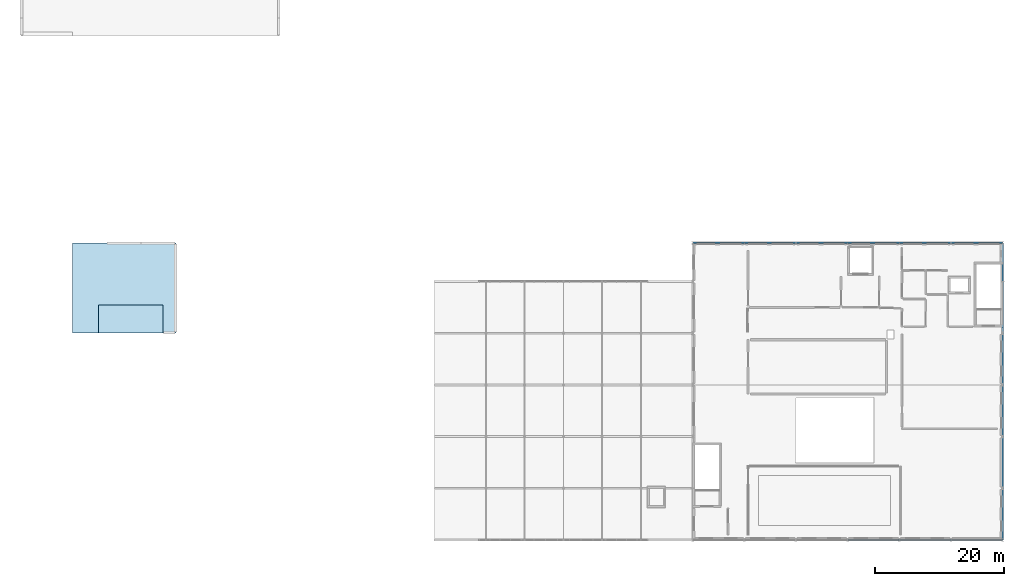
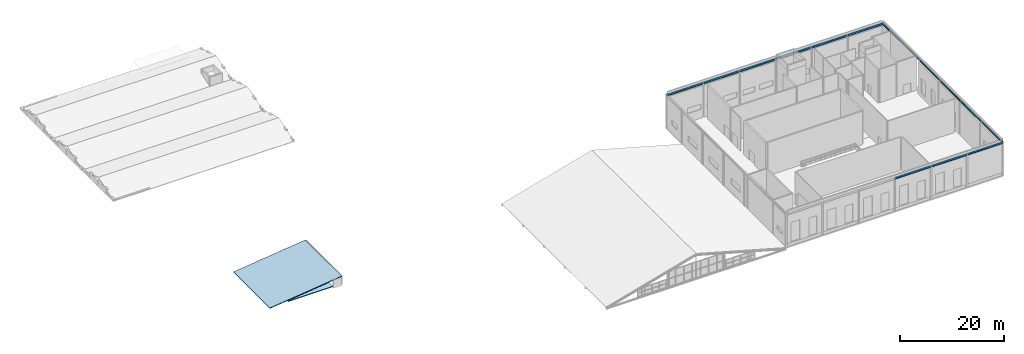
# One storey, part 36 of 49: 15 beams, 2 slabs, 1 element without a shape of its own.
"""IFC4 building model written with IfcOpenShell, lengths in metres."""

from ifc_helpers import new_model, si_unit, direction, frame, origin, origin_2d, place, context, subcontext, project, spatial, polyline, i_section, outline, extrude, material, layer, layer_set, material_profile, profile_set, type_object, element, aggregate, save


model = new_model("IFC4")

# Units and contexts
model_context = context("Model", 3, precision=1e-05, world=origin(), true_north=direction((0.0, 1.0)))
body_context = subcontext(model_context, "Body", "Model", "MODEL_VIEW")
ifc_project = project(units=[si_unit("LENGTHUNIT", "METRE"), si_unit("AREAUNIT", "SQUARE_METRE"), si_unit("VOLUMEUNIT", "CUBIC_METRE"), si_unit("PLANEANGLEUNIT", "RADIAN"), si_unit("MASSUNIT", "GRAM", prefix="KILO")], contexts=[model_context])

# Site, building, storey
site_placement = place(None, origin())
site = spatial("IfcSite", under=ifc_project, at=site_placement, CompositionType="ELEMENT")
building_placement = place(site_placement, origin())
building = spatial("IfcBuilding", under=site, at=building_placement, Name="Sundkrona Museum", CompositionType="ELEMENT")
storey_placement = place(building_placement, frame((0.0, 0.0, 26.0)))
storey = spatial("IfcBuildingStorey", under=building, at=storey_placement, Name="L05", CompositionType="ELEMENT", Elevation=26.0)

# Beams
ifc_material_1 = material(Name="Steel S355J2", Category="steel")
ifc_material_profile = material_profile(ifc_material_1, i_section(OverallWidth=0.199951171875, OverallDepth=0.5, WebThickness=0.01025390625, FlangeThickness=0.01611328125, FilletRadius=0.02099609375, at=origin_2d()), Name="IPE 500")
ifc_profile_set = profile_set([ifc_material_profile], Name="Steel S355J2")
beam_type = type_object("IfcBeamType", Name="SP-IPE500", PredefinedType="SPANDREL", material=ifc_profile_set)
for number, where, z_axis, x_axis, name in (
    (1, (144.0, 0.0, 7.75), (1.0, 0.0, 0.0), (0.0, 1.0, 0.0), "L05 Roof Ring Girder X-1777"),
    (2, (152.0, 0.0, 7.75), (1.0, 0.0, 0.0), (0.0, 1.0, 0.0), "L05 Roof Ring Girder X-1778"),
    (3, (160.0, 0.0, 7.75), (1.0, 0.0, 0.0), (0.0, 1.0, 0.0), "L05 Roof Ring Girder X-1779"),
    (4, (120.0, 46.0, 7.75), (1.0, 0.0, 0.0), (0.0, 1.0, 0.0), "L05 Roof Ring Girder X-1780"),
    (5, (128.0, 46.0, 7.75), (1.0, 0.0, 0.0), (0.0, 1.0, 0.0), "L05 Roof Ring Girder X-1781"),
    (6, (136.0, 46.0, 7.75), (1.0, 0.0, 0.0), (0.0, 1.0, 0.0), "L05 Roof Ring Girder X-1782"),
    (7, (144.0, 46.0, 7.75), (1.0, 0.0, 0.0), (0.0, 1.0, 0.0), "L05 Roof Ring Girder X-1783"),
    (8, (152.0, 46.0, 7.75), (1.0, 0.0, 0.0), (0.0, 1.0, 0.0), "L05 Roof Ring Girder X-1784"),
    (9, (160.0, 46.0, 7.75), (1.0, 0.0, 0.0), (0.0, 1.0, 0.0), "L05 Roof Ring Girder X-1785"),
    (10, (168.0, 0.0, 7.75), (0.0, 1.0, 0.0), (-1.0, 0.0, 0.0), "L05 Roof Ring Girder Y-1792"),
    (11, (168.0, 8.0, 7.75), (0.0, 1.0, 0.0), (-1.0, 0.0, 0.0), "L05 Roof Ring Girder Y-1793"),
    (12, (168.0, 16.0, 7.75), (0.0, 1.0, 0.0), (-1.0, 0.0, 0.0), "L05 Roof Ring Girder Y-1794"),
    (13, (168.0, 24.0, 7.75), (0.0, 1.0, 0.0), (-1.0, 0.0, 0.0), "L05 Roof Ring Girder Y-1795"),
    (14, (168.0, 32.0, 7.75), (0.0, 1.0, 0.0), (-1.0, 0.0, 0.0), "L05 Roof Ring Girder Y-1796"),
):
    element("IfcBeam", number, at=place(storey_placement, frame(where, z_axis=z_axis, x_axis=x_axis)), inside=storey, type_object=beam_type, Name=name, PredefinedType="SPANDREL", context=body_context, shape_type="SweptSolid", body=[
        extrude(i_section(OverallWidth=0.199951171875, OverallDepth=0.5, WebThickness=0.01025390625, FlangeThickness=0.01611328125, FilletRadius=0.02099609375, at=origin_2d()), origin(), (0.0, 0.0, 1.0), 8.0),
    ])
beam_placement = place(storey_placement, frame((168.0, 40.0, 7.75), z_axis=(0.0, 1.0, 0.0), x_axis=(-1.0, 0.0, 0.0)))
element("IfcBeam", 15, at=beam_placement, inside=storey, type_object=beam_type, Name="L05 Roof Ring Girder Y-1797", PredefinedType="SPANDREL", context=body_context, shape_type="SweptSolid", body=[
    extrude(i_section(OverallWidth=0.199951171875, OverallDepth=0.5, WebThickness=0.01025390625, FlangeThickness=0.01611328125, FilletRadius=0.02099609375, at=origin_2d()), origin(), (0.0, 0.0, 1.0), 6.0),
])

# Roof, slab
ifc_material_2 = material(Name="Patinated Copper and Composite Steel-Concrete", Category="concrete")
ifc_layer_1 = layer(ifc_material_2, 0.179931640625)
ifc_layer_set_1 = layer_set([ifc_layer_1], Name="Patinated Copper and Composite Steel-Concrete")
roof_type = type_object("IfcRoofType", Name="ROOF-PAV", PredefinedType="PAVILION_ROOF", material=ifc_layer_set_1)
roof_placement = place(storey_placement, origin())
roof = element("IfcRoof", 16, at=roof_placement, inside=storey, type_object=roof_type, Name="Volume 3 Finned Wing Standing-Seam Copper Roof", PredefinedType="PAVILION_ROOF")
ifc_material_3 = material(Name="Concrete C35/45", Category="concrete")
ifc_layer_2 = layer(ifc_material_3, 0.139892578125)
ifc_layer_set_2 = layer_set([ifc_layer_2], Name="Concrete C35/45")
slab_type_1 = type_object("IfcSlabType", Name="SL-CN-140", PredefinedType="ROOF", material=ifc_layer_set_2)
slab_1_placement = place(storey_placement, frame((24.0, 32.0, -0.050048828125), z_axis=(-0.119155376423, 0.0, 0.992875619738), x_axis=(0.992875619738, 0.0, 0.119155376423)))
slab_1 = element("IfcSlab", 17, at=slab_1_placement, type_object=slab_type_1, Name="West Cloister Core Crown Roof", PredefinedType="ROOF", context=body_context, shape_type="SweptSolid", body=[
    extrude(outline(polyline([(0.0, 0.0), (16.114808020189418, 0.0), (16.114808020189418, 13.999999999999998), (0.0, 13.999999999999998), (0.0, 0.0)])), origin(), (0.0, 0.0, -1.0), 0.139892578125),
])
aggregate(roof, [slab_1])

# Slab
ifc_layer_3 = layer(ifc_material_3, 0.159912109375)
ifc_layer_set_3 = layer_set([ifc_layer_3], Name="Concrete C35/45")
slab_type_2 = type_object("IfcSlabType", Name="SL-RF-160", PredefinedType="ROOF", material=ifc_layer_set_3)
slab_2_placement = place(storey_placement, origin())
element("IfcSlab", 18, at=slab_2_placement, inside=storey, type_object=slab_type_2, Name="Core ST-4 Stair Shaft Roof Cap Slab", PredefinedType="ROOF", context=body_context, shape_type="SweptSolid", body=[
    extrude(outline(polyline([(28.0, 32.0), (38.0, 32.0), (38.0, 36.39990234375), (28.0, 36.39990234375), (28.0, 32.0)])), origin(), (0.0, 0.0, 1.0), 0.159912109375),
])

save(model, "model.ifc")
